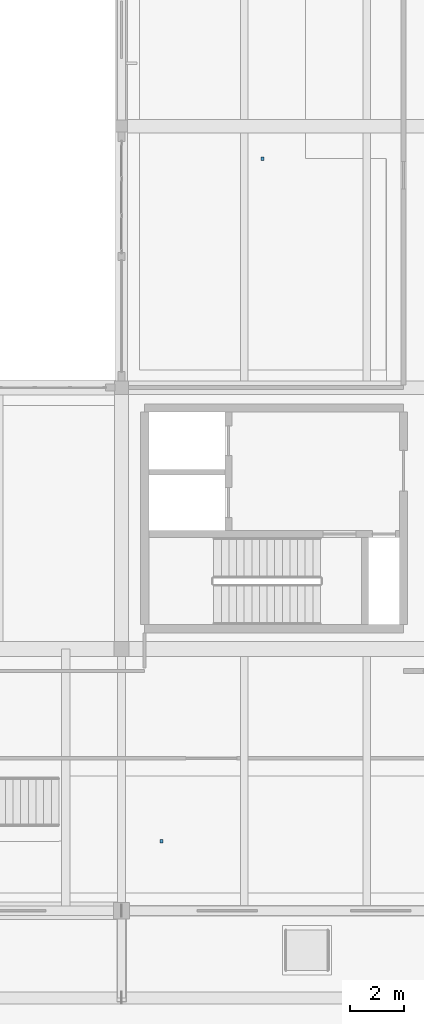
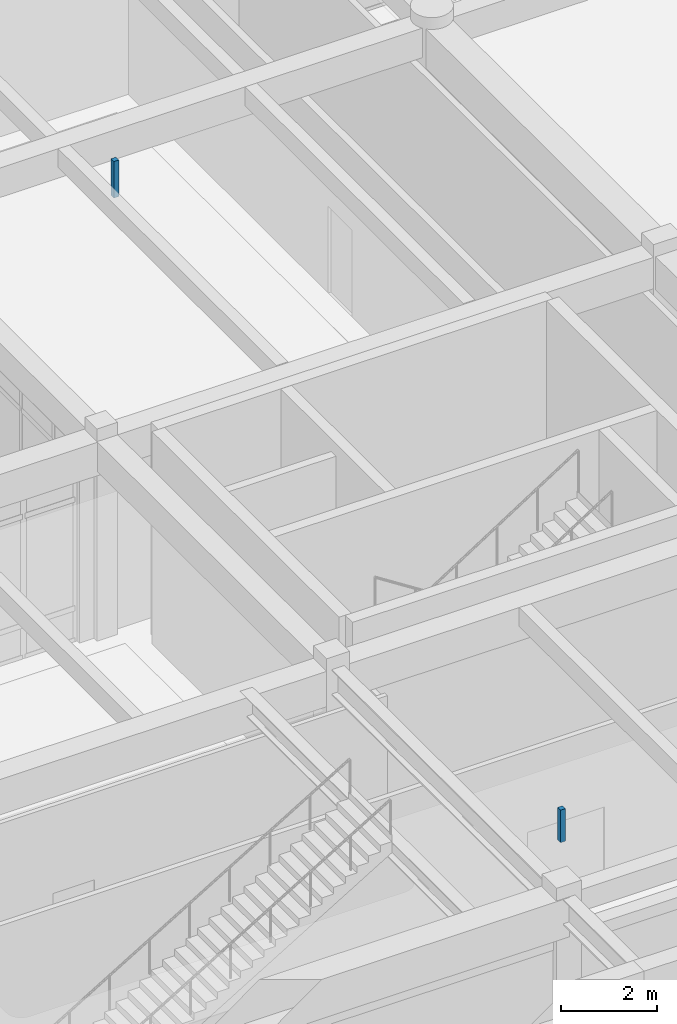
# One storey, part 124 of 138: 2 discrete accessories.
"""IFC4 building model written with IfcOpenShell, lengths in metres."""

from ifc_helpers import new_model, si_unit, direction, frame, origin, origin_2d, place, context, subcontext, project, spatial, rectangle, extrude, material, type_object, element, save


model = new_model("IFC4")

# Units and contexts
model_context = context("Model", 3, precision=1e-05, world=origin(), true_north=direction((0.0, 1.0)))
body_context = subcontext(model_context, "Body", "Model", "MODEL_VIEW")
ifc_project = project(units=[si_unit("LENGTHUNIT", "METRE"), si_unit("AREAUNIT", "SQUARE_METRE"), si_unit("VOLUMEUNIT", "CUBIC_METRE"), si_unit("PLANEANGLEUNIT", "RADIAN"), si_unit("MASSUNIT", "GRAM", prefix="KILO")], contexts=[model_context])

# Site, building, storey
site_placement = place(None, origin())
site = spatial("IfcSite", under=ifc_project, at=site_placement, CompositionType="ELEMENT")
building_placement = place(site_placement, origin())
building = spatial("IfcBuilding", under=site, at=building_placement, Name="Fikremerkos Civic Library", CompositionType="ELEMENT")
storey_placement = place(building_placement, origin())
storey = spatial("IfcBuildingStorey", under=building, at=storey_placement, Name="L00", CompositionType="ELEMENT", Elevation=0.0)

# Discrete accessories
ifc_material = material(Name="Galvanized Steel S275", Category="steel")
discrete_accessory_type = type_object("IfcDiscreteAccessoryType", Name="Ceiling hanger bracket BRK-01", PredefinedType="BRACKET", material=ifc_material)
discrete_accessory_1_placement = place(storey_placement, frame((47.665283203125, 14.55126953125, 4.27001953125), z_axis=(0.0, 0.0, 1.0), x_axis=(1.0, 0.0, 0.0)))
element("IfcDiscreteAccessory", 1, at=discrete_accessory_1_placement, inside=storey, type_object=discrete_accessory_type, Name="Acoustic ceiling hanger bracket #19", PredefinedType="BRACKET", context=body_context, shape_type="SweptSolid", body=[
    extrude(rectangle(XDim=0.1201171875, YDim=0.1201171875, at=origin_2d()), origin(), (0.0, 0.0, 1.0), 0.830078125),
])
discrete_accessory_2_placement = place(storey_placement, frame((51.375, 39.60009765625, 4.18994140625), z_axis=(0.0, 0.0, 1.0), x_axis=(1.0, 0.0, 0.0)))
element("IfcDiscreteAccessory", 2, at=discrete_accessory_2_placement, inside=storey, type_object=discrete_accessory_type, Name="Acoustic ceiling hanger bracket #22", PredefinedType="BRACKET", context=body_context, shape_type="SweptSolid", body=[
    extrude(rectangle(XDim=0.1201171875, YDim=0.1201171875, at=origin_2d()), origin(), (0.0, 0.0, 1.0), 0.929931640625),
])

save(model, "model.ifc")
